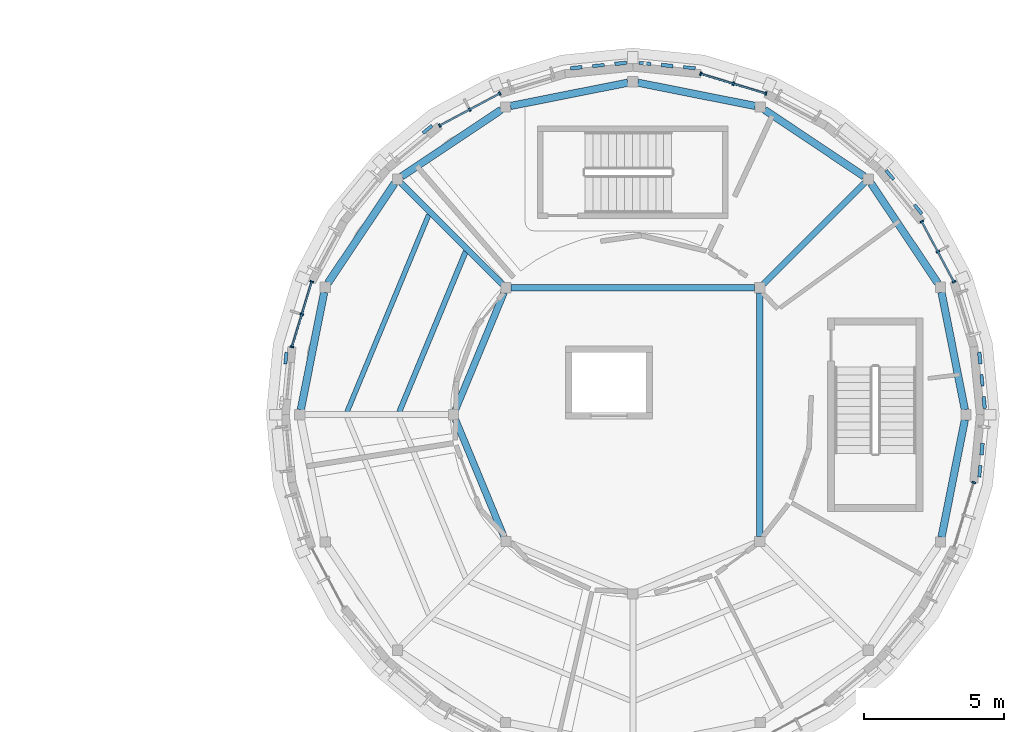
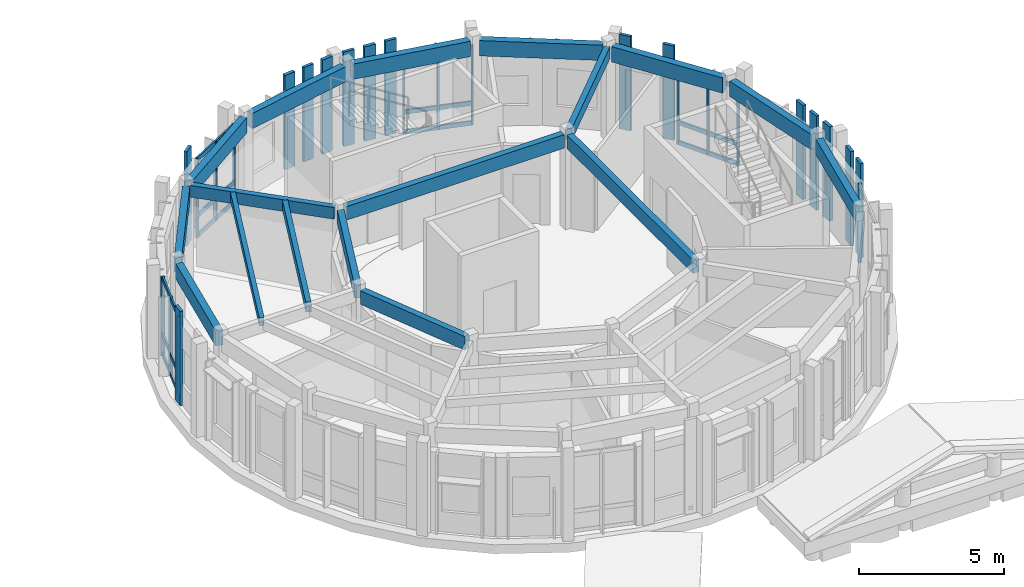
# One storey, part 19 of 58: 40 members, 17 beams, 5 elements without a shape of their own.
"""IFC4 building model written with IfcOpenShell, lengths in metres."""

from ifc_helpers import new_model, si_unit, direction, frame, origin, origin_2d, place, context, subcontext, project, spatial, rectangle, extrude, material, layer, layer_set, material_profile, profile_set, type_object, element, aggregate, save


model = new_model("IFC4")

# Units and contexts
model_context = context("Model", 3, precision=1e-05, world=origin(), true_north=direction((0.0, 1.0)))
body_context = subcontext(model_context, "Body", "Model", "MODEL_VIEW")
ifc_project = project(units=[si_unit("LENGTHUNIT", "METRE"), si_unit("AREAUNIT", "SQUARE_METRE"), si_unit("VOLUMEUNIT", "CUBIC_METRE"), si_unit("PLANEANGLEUNIT", "RADIAN"), si_unit("MASSUNIT", "GRAM", prefix="KILO")], contexts=[model_context])

# Site, building, storey
site_placement = place(None, origin())
site = spatial("IfcSite", under=ifc_project, at=site_placement, CompositionType="ELEMENT")
building_placement = place(site_placement, origin())
building = spatial("IfcBuilding", under=site, at=building_placement, Name="Aldenvaro Health Centre", CompositionType="ELEMENT")
storey_placement = place(building_placement, frame((0.0, 0.0, 8.75)))
storey = spatial("IfcBuildingStorey", under=building, at=storey_placement, Name="L02", CompositionType="ELEMENT", Elevation=8.75)

# Beams
ifc_material_1 = material(Name="Glulam GL28h", Category="wood")
ifc_material_profile_1 = material_profile(ifc_material_1, rectangle(XDim=0.175048828125, YDim=0.35009765625, at=origin_2d()), Name="GL 175x350", Category="wood")
ifc_profile_set_1 = profile_set([ifc_material_profile_1], Name="Glulam GL28h")
beam_type_1 = type_object("IfcBeamType", Name="BM-GL-350", PredefinedType="JOIST", material=ifc_profile_set_1)
beam_1_placement = place(storey_placement, frame((147.220947265625, 106.637939453125, 3.800048828125), z_axis=(-0.382732904244, -0.923859039036, 0.0), x_axis=(0.923859039036, -0.382732904244, 0.0)))
element("IfcBeam", 1, at=beam_1_placement, inside=storey, type_object=beam_type_1, Name="D2 L02 secondary joist 02.2", PredefinedType="JOIST", context=body_context, shape_type="SweptSolid", body=[
    extrude(rectangle(XDim=0.175048828125, YDim=0.35009765625, at=origin_2d()), origin(), (0.0, 0.0, 1.0), 7.618896484375),
])
ifc_material_profile_2 = material_profile(ifc_material_1, rectangle(XDim=0.18994140625, YDim=0.41796875, at=origin_2d()), Name="GL 190x418", Category="wood")
ifc_profile_set_2 = profile_set([ifc_material_profile_2], Name="Glulam GL28h")
beam_type_2 = type_object("IfcBeamType", Name="BM-GL-418", PredefinedType="JOIST", material=ifc_profile_set_2)
beam_2_placement = place(storey_placement, frame((148.5390625, 105.321044921875, 3.76611328125), z_axis=(-0.382820589001, -0.923822708444, 0.0), x_axis=(0.923822708444, -0.382820589001, 0.0)))
element("IfcBeam", 2, at=beam_2_placement, inside=storey, type_object=beam_type_2, Name="D2 L02 secondary joist 02.1", PredefinedType="JOIST", context=body_context, shape_type="SweptSolid", body=[
    extrude(rectangle(XDim=0.18994140625, YDim=0.41796875, at=origin_2d()), origin(), (0.0, 0.0, 1.0), 6.19384765625),
])
ifc_material_profile_3 = material_profile(ifc_material_1, rectangle(XDim=0.215087890625, YDim=0.493896484375, at=origin_2d()), Name="GL 215x494", Category="wood")
ifc_profile_set_3 = profile_set([ifc_material_profile_3], Name="Glulam GL28h")
beam_type_3 = type_object("IfcBeamType", Name="BM-GL-494", PredefinedType="BEAM", material=ifc_profile_set_3)
for number, where, z_axis, x_axis, name in (
    (3, (159.154052734375, 104.154052734375, 3.72802734375), (0.707106781187, 0.707106781187, 0.0), (-0.707106781187, 0.707106781187, 0.0), "D2 L02 radial beam 01"),
    (4, (149.845947265625, 104.154052734375, 3.72802734375), (-0.707106781187, 0.707106781187, 0.0), (-0.707106781187, -0.707106781187, 0.0), "D2 L02 radial beam 02"),
):
    element("IfcBeam", number, at=place(storey_placement, frame(where, z_axis=z_axis, x_axis=x_axis)), inside=storey, type_object=beam_type_3, Name=name, PredefinedType="BEAM", context=body_context, shape_type="SweptSolid", body=[
        extrude(rectangle(XDim=0.215087890625, YDim=0.493896484375, at=origin_2d()), origin(), (0.0, 0.0, 1.0), 5.115234375),
    ])
ifc_material_profile_4 = material_profile(ifc_material_1, rectangle(XDim=0.239990234375, YDim=0.570068359375, at=origin_2d()), Name="GL 240x570", Category="wood")
ifc_profile_set_4 = profile_set([ifc_material_profile_4], Name="Glulam GL28h")
beam_type_4 = type_object("IfcBeamType", Name="BM-GL-570", PredefinedType="BEAM", material=ifc_profile_set_4)
beam_3_placement = place(storey_placement, frame((158.843017578125, 104.02490234375, 3.68994140625), z_axis=(-1.0, 0.0, 0.0), x_axis=(0.0, -1.0, 0.0)))
element("IfcBeam", 5, at=beam_3_placement, inside=storey, type_object=beam_type_4, Name="D2 L02 inner ring beam 01", PredefinedType="BEAM", context=body_context, shape_type="SweptSolid", body=[
    extrude(rectangle(XDim=0.239990234375, YDim=0.570068359375, at=origin_2d()), origin(), (0.0, 0.0, 1.0), 8.68603515625),
])
for number, where, z_axis, x_axis, name in (
    (6, (149.905029296875, 103.85595703125, 3.68994140625), (-0.382832277795, -0.923817864667, 0.0), (0.923817864667, -0.382832277795, 0.0), "D2 L02 inner ring beam 02"),
    (7, (148.169921875, 99.3310546875, 3.68994140625), (0.382832277795, -0.923817864667, 0.0), (0.923817864667, 0.382832277795, 0.0), "D2 L02 inner ring beam 03"),
):
    element("IfcBeam", number, at=place(storey_placement, frame(where, z_axis=z_axis, x_axis=x_axis)), inside=storey, type_object=beam_type_4, Name=name, PredefinedType="BEAM", context=body_context, shape_type="SweptSolid", body=[
        extrude(rectangle(XDim=0.239990234375, YDim=0.570068359375, at=origin_2d()), origin(), (0.0, 0.0, 1.0), 4.5322265625),
    ])
beam_4_placement = place(storey_placement, frame((159.02490234375, 95.156982421875, 3.68994140625), z_axis=(0.0, 1.0, 0.0), x_axis=(-1.0, 0.0, 0.0)))
element("IfcBeam", 8, at=beam_4_placement, inside=storey, type_object=beam_type_4, Name="D2 L02 inner ring beam 06", PredefinedType="BEAM", context=body_context, shape_type="SweptSolid", body=[
    extrude(rectangle(XDim=0.239990234375, YDim=0.570068359375, at=origin_2d()), origin(), (0.0, 0.0, 1.0), 8.68603515625),
])
ifc_material_profile_5 = material_profile(ifc_material_1, rectangle(XDim=0.264892578125, YDim=0.64599609375, at=origin_2d()), Name="GL 265x646", Category="wood")
ifc_profile_set_5 = profile_set([ifc_material_profile_5], Name="Glulam GL28h")
beam_type_5 = type_object("IfcBeamType", Name="BM-GL-646", PredefinedType="SPANDREL", material=ifc_profile_set_5)
beam_5_placement = place(storey_placement, frame((166.343994140625, 99.678955078125, 3.652099609375), z_axis=(-0.19486245827, 0.980830577805, 0.0), x_axis=(-0.980830577805, -0.19486245827, 0.0)))
element("IfcBeam", 9, at=beam_5_placement, inside=storey, type_object=beam_type_5, Name="D2 L02 perimeter spandrel 01", PredefinedType="SPANDREL", context=body_context, shape_type="SweptSolid", body=[
    extrude(rectangle(XDim=0.264892578125, YDim=0.64599609375, at=origin_2d()), origin(), (0.0, 0.0, 1.0), 4.269775390625),
])
for number, where, z_axis, x_axis, name in (
    (10, (165.375, 104.197998046875, 3.652099609375), (-0.555886935474, 0.831257911222, 0.0), (-0.831257911222, -0.555886935474, 0.0), "D2 L02 perimeter spandrel 02"),
    (11, (162.748046875, 108.0009765625, 3.652099609375), (-0.831257911222, 0.555886935474, 0.0), (-0.555886935474, -0.831257911222, 0.0), "D2 L02 perimeter spandrel 03"),
):
    element("IfcBeam", number, at=place(storey_placement, frame(where, z_axis=z_axis, x_axis=x_axis)), inside=storey, type_object=beam_type_5, Name=name, PredefinedType="SPANDREL", context=body_context, shape_type="SweptSolid", body=[
        extrude(rectangle(XDim=0.264892578125, YDim=0.64599609375, at=origin_2d()), origin(), (0.0, 0.0, 1.0), 4.270751953125),
    ])
for number, where, z_axis, x_axis, name in (
    (12, (158.866943359375, 110.511962890625, 3.652099609375), (-0.980830577805, 0.19486245827, 0.0), (-0.19486245827, -0.980830577805, 0.0), "D2 L02 perimeter spandrel 04"),
    (13, (154.321044921875, 111.343994140625, 3.652099609375), (-0.980830577805, -0.19486245827, 0.0), (0.19486245827, -0.980830577805, 0.0), "D2 L02 perimeter spandrel 05"),
):
    element("IfcBeam", number, at=place(storey_placement, frame(where, z_axis=z_axis, x_axis=x_axis)), inside=storey, type_object=beam_type_5, Name=name, PredefinedType="SPANDREL", context=body_context, shape_type="SweptSolid", body=[
        extrude(rectangle(XDim=0.264892578125, YDim=0.64599609375, at=origin_2d()), origin(), (0.0, 0.0, 1.0), 4.269775390625),
    ])
for number, where, z_axis, x_axis, name in (
    (14, (149.802001953125, 110.375, 3.652099609375), (-0.831257911222, -0.555886935474, 0.0), (0.555886935474, -0.831257911222, 0.0), "D2 L02 perimeter spandrel 06"),
    (15, (145.9990234375, 107.748046875, 3.652099609375), (-0.555886935474, -0.831257911222, 0.0), (0.831257911222, -0.555886935474, 0.0), "D2 L02 perimeter spandrel 07"),
):
    element("IfcBeam", number, at=place(storey_placement, frame(where, z_axis=z_axis, x_axis=x_axis)), inside=storey, type_object=beam_type_5, Name=name, PredefinedType="SPANDREL", context=body_context, shape_type="SweptSolid", body=[
        extrude(rectangle(XDim=0.264892578125, YDim=0.64599609375, at=origin_2d()), origin(), (0.0, 0.0, 1.0), 4.270751953125),
    ])
for number, where, z_axis, x_axis, name in (
    (16, (143.488037109375, 103.866943359375, 3.652099609375), (-0.19486245827, -0.980830577805, 0.0), (0.980830577805, -0.19486245827, 0.0), "D2 L02 perimeter spandrel 08"),
    (17, (165.511962890625, 95.133056640625, 3.652099609375), (0.19486245827, 0.980830577805, 0.0), (-0.980830577805, 0.19486245827, 0.0), "D2 L02 perimeter spandrel 16"),
):
    element("IfcBeam", number, at=place(storey_placement, frame(where, z_axis=z_axis, x_axis=x_axis)), inside=storey, type_object=beam_type_5, Name=name, PredefinedType="SPANDREL", context=body_context, shape_type="SweptSolid", body=[
        extrude(rectangle(XDim=0.264892578125, YDim=0.64599609375, at=origin_2d()), origin(), (0.0, 0.0, 1.0), 4.269775390625),
    ])

# Curtain wall, member
ifc_material_2 = material(Name="Anodised Aluminium 6063-T6", Category="aluminium")
ifc_layer = layer(ifc_material_2, 0.195068359375, Name="Anodised Aluminium 6063-T6", Category="aluminium")
ifc_layer_set = layer_set([ifc_layer], Name="Anodised Aluminium 6063-T6")
curtain_wall_type = type_object("IfcCurtainWallType", Name="CW-CLN-02", PredefinedType="NOTDEFINED", material=ifc_layer_set)
curtain_wall_1_placement = place(storey_placement, origin())
curtain_wall_1 = element("IfcCurtainWall", 18, at=curtain_wall_1_placement, inside=storey, type_object=curtain_wall_type, Name="D2 L02 curtain wall bay 02", PredefinedType="NOTDEFINED")
ifc_material_profile_6 = material_profile(ifc_material_2, rectangle(XDim=0.06005859375, YDim=0.135009765625, at=origin_2d()), Name="ALU 60x135", Category="aluminium")
ifc_profile_set_6 = profile_set([ifc_material_profile_6], Name="Anodised Aluminium 6063-T6")
member_type_1 = type_object("IfcMemberType", Name="CWM-150", PredefinedType="MULLION", material=ifc_profile_set_6)
member_1_placement = place(storey_placement, frame((166.662109375, 97.0810546875, 0.0), z_axis=(0.0, 0.0, 1.0), x_axis=(-0.290441245116, -0.956892827403, 0.0)))
member_1 = element("IfcMember", 19, at=member_1_placement, type_object=member_type_1, Name="D2 L02 curtain wall bay 02 mullion 1", PredefinedType="MULLION", context=body_context, shape_type="SweptSolid", body=[
    extrude(rectangle(XDim=0.06005859375, YDim=0.135009765625, at=origin_2d()), origin(), (0.0, 0.0, 1.0), 3.3291015625),
])
aggregate(curtain_wall_1, [member_1])

# Curtain wall, members
curtain_wall_2_placement = place(storey_placement, origin())
curtain_wall_2 = element("IfcCurtainWall", 20, at=curtain_wall_2_placement, inside=storey, type_object=curtain_wall_type, Name="D2 L02 curtain wall bay 18", PredefinedType="NOTDEFINED")
member_2_placement = place(storey_placement, frame((142.337890625, 101.9189453125, 0.0), z_axis=(0.0, 0.0, 1.0), x_axis=(0.290441245116, 0.956892827403, 0.0)))
member_2 = element("IfcMember", 21, at=member_2_placement, type_object=member_type_1, Name="D2 L02 curtain wall bay 18 mullion 1", PredefinedType="MULLION", context=body_context, shape_type="SweptSolid", body=[
    extrude(rectangle(XDim=0.06005859375, YDim=0.135009765625, at=origin_2d()), origin(), (0.0, 0.0, 1.0), 3.3291015625),
])
member_3_placement = place(storey_placement, frame((142.69091796875, 103.08203125, 0.0), z_axis=(0.0, 0.0, 1.0), x_axis=(0.290441245116, 0.956892827403, 0.0)))
member_3 = element("IfcMember", 22, at=member_3_placement, type_object=member_type_1, Name="D2 L02 curtain wall bay 18 mullion 2", PredefinedType="MULLION", context=body_context, shape_type="SweptSolid", body=[
    extrude(rectangle(XDim=0.06005859375, YDim=0.135009765625, at=origin_2d()), origin(), (0.0, 0.0, 1.0), 3.3291015625),
])
member_4_placement = place(storey_placement, frame((143.0439453125, 104.2451171875, 0.0), z_axis=(0.0, 0.0, 1.0), x_axis=(0.290441245116, 0.956892827403, 0.0)))
member_4 = element("IfcMember", 23, at=member_4_placement, type_object=member_type_1, Name="D2 L02 curtain wall bay 18 mullion 3", PredefinedType="MULLION", context=body_context, shape_type="SweptSolid", body=[
    extrude(rectangle(XDim=0.06005859375, YDim=0.135009765625, at=origin_2d()), origin(), (0.0, 0.0, 1.0), 3.3291015625),
])

curtain_wall_3_placement = place(storey_placement, origin())
curtain_wall_3 = element("IfcCurtainWall", 24, at=curtain_wall_3_placement, inside=storey, type_object=curtain_wall_type, Name="D2 L02 curtain wall bay 22", PredefinedType="NOTDEFINED")
member_5_placement = place(storey_placement, frame((147.611083984375, 109.81005859375, 0.0), z_axis=(0.0, 0.0, 1.0), x_axis=(0.881919874971, 0.471399336159, 0.0)))
member_5 = element("IfcMember", 25, at=member_5_placement, type_object=member_type_1, Name="D2 L02 curtain wall bay 22 mullion 1", PredefinedType="MULLION", context=body_context, shape_type="SweptSolid", body=[
    extrude(rectangle(XDim=0.06005859375, YDim=0.135009765625, at=origin_2d()), origin(), (0.0, 0.0, 1.0), 3.3291015625),
])
member_6_placement = place(storey_placement, frame((148.68310546875, 110.383056640625, 0.0), z_axis=(0.0, 0.0, 1.0), x_axis=(0.881919874971, 0.471399336159, 0.0)))
member_6 = element("IfcMember", 26, at=member_6_placement, type_object=member_type_1, Name="D2 L02 curtain wall bay 22 mullion 2", PredefinedType="MULLION", context=body_context, shape_type="SweptSolid", body=[
    extrude(rectangle(XDim=0.06005859375, YDim=0.135009765625, at=origin_2d()), origin(), (0.0, 0.0, 1.0), 3.3291015625),
])
member_7_placement = place(storey_placement, frame((149.7548828125, 110.9560546875, 0.0), z_axis=(0.0, 0.0, 1.0), x_axis=(0.881919874971, 0.471399336159, 0.0)))
member_7 = element("IfcMember", 27, at=member_7_placement, type_object=member_type_1, Name="D2 L02 curtain wall bay 22 mullion 3", PredefinedType="MULLION", context=body_context, shape_type="SweptSolid", body=[
    extrude(rectangle(XDim=0.06005859375, YDim=0.135009765625, at=origin_2d()), origin(), (0.0, 0.0, 1.0), 3.3291015625),
])

curtain_wall_4_placement = place(storey_placement, origin())
curtain_wall_4 = element("IfcCurtainWall", 28, at=curtain_wall_4_placement, inside=storey, type_object=curtain_wall_type, Name="D2 L02 curtain wall bay 26", PredefinedType="NOTDEFINED")
member_8_placement = place(storey_placement, frame((156.9189453125, 111.662109375, 0.0), z_axis=(0.0, 0.0, 1.0), x_axis=(0.956892827403, -0.290441245116, 0.0)))
member_8 = element("IfcMember", 29, at=member_8_placement, type_object=member_type_1, Name="D2 L02 curtain wall bay 26 mullion 1", PredefinedType="MULLION", context=body_context, shape_type="SweptSolid", body=[
    extrude(rectangle(XDim=0.06005859375, YDim=0.135009765625, at=origin_2d()), origin(), (0.0, 0.0, 1.0), 3.3291015625),
])
member_9_placement = place(storey_placement, frame((158.08203125, 111.30908203125, 0.0), z_axis=(0.0, 0.0, 1.0), x_axis=(0.956892827403, -0.290441245116, 0.0)))
member_9 = element("IfcMember", 30, at=member_9_placement, type_object=member_type_1, Name="D2 L02 curtain wall bay 26 mullion 2", PredefinedType="MULLION", context=body_context, shape_type="SweptSolid", body=[
    extrude(rectangle(XDim=0.06005859375, YDim=0.135009765625, at=origin_2d()), origin(), (0.0, 0.0, 1.0), 3.3291015625),
])
member_10_placement = place(storey_placement, frame((159.2451171875, 110.9560546875, 0.0), z_axis=(0.0, 0.0, 1.0), x_axis=(0.956892827403, -0.290441245116, 0.0)))
member_10 = element("IfcMember", 31, at=member_10_placement, type_object=member_type_1, Name="D2 L02 curtain wall bay 26 mullion 3", PredefinedType="MULLION", context=body_context, shape_type="SweptSolid", body=[
    extrude(rectangle(XDim=0.06005859375, YDim=0.135009765625, at=origin_2d()), origin(), (0.0, 0.0, 1.0), 3.3291015625),
])

curtain_wall_5_placement = place(storey_placement, origin())
curtain_wall_5 = element("IfcCurtainWall", 32, at=curtain_wall_5_placement, inside=storey, type_object=curtain_wall_type, Name="D2 L02 curtain wall bay 30", PredefinedType="NOTDEFINED")
member_11_placement = place(storey_placement, frame((164.81005859375, 106.388916015625, 0.0), z_axis=(0.0, 0.0, 1.0), x_axis=(0.471399336159, -0.881919874971, 0.0)))
member_11 = element("IfcMember", 33, at=member_11_placement, type_object=member_type_1, Name="D2 L02 curtain wall bay 30 mullion 1", PredefinedType="MULLION", context=body_context, shape_type="SweptSolid", body=[
    extrude(rectangle(XDim=0.06005859375, YDim=0.135009765625, at=origin_2d()), origin(), (0.0, 0.0, 1.0), 3.3291015625),
])
member_12_placement = place(storey_placement, frame((165.383056640625, 105.31689453125, 0.0), z_axis=(0.0, 0.0, 1.0), x_axis=(0.471399336159, -0.881919874971, 0.0)))
member_12 = element("IfcMember", 34, at=member_12_placement, type_object=member_type_1, Name="D2 L02 curtain wall bay 30 mullion 2", PredefinedType="MULLION", context=body_context, shape_type="SweptSolid", body=[
    extrude(rectangle(XDim=0.06005859375, YDim=0.135009765625, at=origin_2d()), origin(), (0.0, 0.0, 1.0), 3.3291015625),
])
member_13_placement = place(storey_placement, frame((165.9560546875, 104.2451171875, 0.0), z_axis=(0.0, 0.0, 1.0), x_axis=(0.471399336159, -0.881919874971, 0.0)))
member_13 = element("IfcMember", 35, at=member_13_placement, type_object=member_type_1, Name="D2 L02 curtain wall bay 30 mullion 3", PredefinedType="MULLION", context=body_context, shape_type="SweptSolid", body=[
    extrude(rectangle(XDim=0.06005859375, YDim=0.135009765625, at=origin_2d()), origin(), (0.0, 0.0, 1.0), 3.3291015625),
])

# Member
ifc_material_profile_7 = material_profile(ifc_material_2, rectangle(XDim=0.06494140625, YDim=0.179931640625, at=origin_2d()), Name="ALU 65x180", Category="aluminium")
ifc_profile_set_7 = profile_set([ifc_material_profile_7], Name="Anodised Aluminium 6063-T6")
member_type_2 = type_object("IfcMemberType", Name="CWT-150", PredefinedType="USERDEFINED", material=ifc_profile_set_7)
member_14_placement = place(storey_placement, frame((142.337890625, 101.9189453125, 0.06005859375), z_axis=(0.290442193951, 0.956892539407, 0.0), x_axis=(-0.956892539407, 0.290442193951, 0.0)))
member_14 = element("IfcMember", 36, at=member_14_placement, type_object=member_type_2, Name="D2 L02 curtain wall bay 18 transom 1", ObjectType="TRANSOM", PredefinedType="USERDEFINED", context=body_context, shape_type="SweptSolid", body=[
    extrude(rectangle(XDim=0.06494140625, YDim=0.179931640625, at=origin_2d()), origin(), (0.0, 0.0, 1.0), 2.430908203125),
])

member_15_placement = place(storey_placement, frame((142.337890625, 101.9189453125, 0.89990234375), z_axis=(0.290442193951, 0.956892539407, 0.0), x_axis=(-0.956892539407, 0.290442193951, 0.0)))
member_15 = element("IfcMember", 37, at=member_15_placement, type_object=member_type_2, Name="D2 L02 curtain wall bay 18 transom 2", ObjectType="TRANSOM", PredefinedType="USERDEFINED", context=body_context, shape_type="SweptSolid", body=[
    extrude(rectangle(XDim=0.06494140625, YDim=0.179931640625, at=origin_2d()), origin(), (0.0, 0.0, 1.0), 2.430908203125),
])

member_16_placement = place(storey_placement, frame((142.337890625, 101.9189453125, 3.26904296875), z_axis=(0.290442193951, 0.956892539407, 0.0), x_axis=(-0.956892539407, 0.290442193951, 0.0)))
member_16 = element("IfcMember", 38, at=member_16_placement, type_object=member_type_2, Name="D2 L02 curtain wall bay 18 transom 3", ObjectType="TRANSOM", PredefinedType="USERDEFINED", context=body_context, shape_type="SweptSolid", body=[
    extrude(rectangle(XDim=0.06494140625, YDim=0.179931640625, at=origin_2d()), origin(), (0.0, 0.0, 1.0), 2.430908203125),
])

aggregate(curtain_wall_2, [member_2, member_3, member_4, member_14, member_15, member_16])

member_17_placement = place(storey_placement, frame((147.611083984375, 109.81005859375, 0.06005859375), z_axis=(0.881902152415, 0.471432490996, 0.0), x_axis=(-0.471432490996, 0.881902152415, 0.0)))
member_17 = element("IfcMember", 39, at=member_17_placement, type_object=member_type_2, Name="D2 L02 curtain wall bay 22 transom 1", ObjectType="TRANSOM", PredefinedType="USERDEFINED", context=body_context, shape_type="SweptSolid", body=[
    extrude(rectangle(XDim=0.06494140625, YDim=0.179931640625, at=origin_2d()), origin(), (0.0, 0.0, 1.0), 2.430908203125),
])

member_18_placement = place(storey_placement, frame((147.611083984375, 109.81005859375, 0.89990234375), z_axis=(0.881902152415, 0.471432490996, 0.0), x_axis=(-0.471432490996, 0.881902152415, 0.0)))
member_18 = element("IfcMember", 40, at=member_18_placement, type_object=member_type_2, Name="D2 L02 curtain wall bay 22 transom 2", ObjectType="TRANSOM", PredefinedType="USERDEFINED", context=body_context, shape_type="SweptSolid", body=[
    extrude(rectangle(XDim=0.06494140625, YDim=0.179931640625, at=origin_2d()), origin(), (0.0, 0.0, 1.0), 2.430908203125),
])

member_19_placement = place(storey_placement, frame((147.611083984375, 109.81005859375, 3.26904296875), z_axis=(0.881902152415, 0.471432490996, 0.0), x_axis=(-0.471432490996, 0.881902152415, 0.0)))
member_19 = element("IfcMember", 41, at=member_19_placement, type_object=member_type_2, Name="D2 L02 curtain wall bay 22 transom 3", ObjectType="TRANSOM", PredefinedType="USERDEFINED", context=body_context, shape_type="SweptSolid", body=[
    extrude(rectangle(XDim=0.06494140625, YDim=0.179931640625, at=origin_2d()), origin(), (0.0, 0.0, 1.0), 2.430908203125),
])

aggregate(curtain_wall_3, [member_5, member_6, member_7, member_17, member_18, member_19])

member_20_placement = place(storey_placement, frame((156.9189453125, 111.662109375, 0.06005859375), z_axis=(0.956892539407, -0.290442193951, 0.0), x_axis=(0.290442193951, 0.956892539407, 0.0)))
member_20 = element("IfcMember", 42, at=member_20_placement, type_object=member_type_2, Name="D2 L02 curtain wall bay 26 transom 1", ObjectType="TRANSOM", PredefinedType="USERDEFINED", context=body_context, shape_type="SweptSolid", body=[
    extrude(rectangle(XDim=0.06494140625, YDim=0.179931640625, at=origin_2d()), origin(), (0.0, 0.0, 1.0), 2.430908203125),
])

member_21_placement = place(storey_placement, frame((156.9189453125, 111.662109375, 0.89990234375), z_axis=(0.956892539407, -0.290442193951, 0.0), x_axis=(0.290442193951, 0.956892539407, 0.0)))
member_21 = element("IfcMember", 43, at=member_21_placement, type_object=member_type_2, Name="D2 L02 curtain wall bay 26 transom 2", ObjectType="TRANSOM", PredefinedType="USERDEFINED", context=body_context, shape_type="SweptSolid", body=[
    extrude(rectangle(XDim=0.06494140625, YDim=0.179931640625, at=origin_2d()), origin(), (0.0, 0.0, 1.0), 2.430908203125),
])

member_22_placement = place(storey_placement, frame((156.9189453125, 111.662109375, 3.26904296875), z_axis=(0.956892539407, -0.290442193951, 0.0), x_axis=(0.290442193951, 0.956892539407, 0.0)))
member_22 = element("IfcMember", 44, at=member_22_placement, type_object=member_type_2, Name="D2 L02 curtain wall bay 26 transom 3", ObjectType="TRANSOM", PredefinedType="USERDEFINED", context=body_context, shape_type="SweptSolid", body=[
    extrude(rectangle(XDim=0.06494140625, YDim=0.179931640625, at=origin_2d()), origin(), (0.0, 0.0, 1.0), 2.430908203125),
])

aggregate(curtain_wall_4, [member_8, member_9, member_10, member_20, member_21, member_22])

member_23_placement = place(storey_placement, frame((164.81005859375, 106.388916015625, 0.06005859375), z_axis=(0.471432490996, -0.881902152415, 0.0), x_axis=(0.881902152415, 0.471432490996, 0.0)))
member_23 = element("IfcMember", 45, at=member_23_placement, type_object=member_type_2, Name="D2 L02 curtain wall bay 30 transom 1", ObjectType="TRANSOM", PredefinedType="USERDEFINED", context=body_context, shape_type="SweptSolid", body=[
    extrude(rectangle(XDim=0.06494140625, YDim=0.179931640625, at=origin_2d()), origin(), (0.0, 0.0, 1.0), 2.430908203125),
])

member_24_placement = place(storey_placement, frame((164.81005859375, 106.388916015625, 0.89990234375), z_axis=(0.471432490996, -0.881902152415, 0.0), x_axis=(0.881902152415, 0.471432490996, 0.0)))
member_24 = element("IfcMember", 46, at=member_24_placement, type_object=member_type_2, Name="D2 L02 curtain wall bay 30 transom 2", ObjectType="TRANSOM", PredefinedType="USERDEFINED", context=body_context, shape_type="SweptSolid", body=[
    extrude(rectangle(XDim=0.06494140625, YDim=0.179931640625, at=origin_2d()), origin(), (0.0, 0.0, 1.0), 2.430908203125),
])

member_25_placement = place(storey_placement, frame((164.81005859375, 106.388916015625, 3.26904296875), z_axis=(0.471432490996, -0.881902152415, 0.0), x_axis=(0.881902152415, 0.471432490996, 0.0)))
member_25 = element("IfcMember", 47, at=member_25_placement, type_object=member_type_2, Name="D2 L02 curtain wall bay 30 transom 3", ObjectType="TRANSOM", PredefinedType="USERDEFINED", context=body_context, shape_type="SweptSolid", body=[
    extrude(rectangle(XDim=0.06494140625, YDim=0.179931640625, at=origin_2d()), origin(), (0.0, 0.0, 1.0), 2.430908203125),
])

aggregate(curtain_wall_5, [member_11, member_12, member_13, member_23, member_24, member_25])

# Members
ifc_material_profile_8 = material_profile(ifc_material_1, rectangle(XDim=0.114990234375, YDim=0.419921875, at=origin_2d()), Name="GL 115x420", Category="wood")
ifc_profile_set_8 = profile_set([ifc_material_profile_8], Name="Glulam GL28h")
member_type_3 = type_object("IfcMemberType", Name="MEM-SLT-420A", PredefinedType="POST", material=ifc_profile_set_8)
for number, where, z_axis, x_axis, name in (
    (48, (166.876953125, 97.48193359375, 0.0), (0.0, 0.0, 1.0), (0.995194782414, -0.097914988926, 0.0), "D2 L02 vertical timber slat 1.3"),
    (49, (142.123046875, 101.51806640625, 0.0), (0.0, 0.0, 1.0), (-0.995194782414, 0.097914988926, 0.0), "D2 L02 vertical timber slat 17.3"),
    (50, (147.175048828125, 109.678955078125, 0.0), (0.0, 0.0, 1.0), (-0.634379653268, 0.773021639749, 0.0), "D2 L02 vertical timber slat 21.3"),
    (51, (153.27294921875, 111.955078125, 0.0), (0.0, 0.0, 1.0), (-0.097914988926, 0.995194782414, 0.0), "D2 L02 vertical timber slat 24.2"),
    (52, (154.93505859375, 112.032958984375, 0.0), (0.0, 0.0, 1.0), (0.097914988926, 0.995194782414, 0.0), "D2 L02 vertical timber slat 25.1"),
    (53, (156.51806640625, 111.876953125, 0.0), (0.0, 0.0, 1.0), (0.097914988926, 0.995194782414, 0.0), "D2 L02 vertical timber slat 25.3"),
    (54, (163.669921875, 108.053955078125, 0.0), (0.0, 0.0, 1.0), (0.773021639749, 0.634379653268, 0.0), "D2 L02 vertical timber slat 29.1"),
    (55, (164.678955078125, 106.824951171875, 0.0), (0.0, 0.0, 1.0), (0.773021639749, 0.634379653268, 0.0), "D2 L02 vertical timber slat 29.3"),
    (56, (166.955078125, 100.72705078125, 0.0), (0.0, 0.0, 1.0), (0.995194782414, 0.097914988926, 0.0), "D2 L02 vertical timber slat 32.2"),
):
    element("IfcMember", number, at=place(storey_placement, frame(where, z_axis=z_axis, x_axis=x_axis)), inside=storey, type_object=member_type_3, Name=name, PredefinedType="POST", context=body_context, shape_type="SweptSolid", body=[
        extrude(rectangle(XDim=0.114990234375, YDim=0.419921875, at=origin_2d()), origin(), (0.0, 0.0, 1.0), 3.97509765625),
    ])
ifc_material_profile_9 = material_profile(ifc_material_1, rectangle(XDim=0.1298828125, YDim=0.419921875, at=origin_2d()), Name="GL 130x420", Category="wood")
ifc_profile_set_9 = profile_set([ifc_material_profile_9], Name="Glulam GL28h")
member_type_4 = type_object("IfcMemberType", Name="MEM-SLT-420B", PredefinedType="POST", material=ifc_profile_set_9)
for number, where, z_axis, x_axis, name in (
    (57, (166.955078125, 98.27294921875, 0.0), (0.0, 0.0, 1.0), (0.995194782414, -0.097914988926, 0.0), "D2 L02 vertical timber slat 1.2"),
    (58, (152.48193359375, 111.876953125, 0.0), (0.0, 0.0, 1.0), (-0.097914988926, 0.995194782414, 0.0), "D2 L02 vertical timber slat 24.1"),
    (59, (154.06494140625, 112.032958984375, 0.0), (0.0, 0.0, 1.0), (-0.097914988926, 0.995194782414, 0.0), "D2 L02 vertical timber slat 24.3"),
    (60, (155.72705078125, 111.955078125, 0.0), (0.0, 0.0, 1.0), (0.097914988926, 0.995194782414, 0.0), "D2 L02 vertical timber slat 25.2"),
    (61, (166.876953125, 101.51806640625, 0.0), (0.0, 0.0, 1.0), (0.995194782414, 0.097914988926, 0.0), "D2 L02 vertical timber slat 32.1"),
    (62, (167.032958984375, 99.93505859375, 0.0), (0.0, 0.0, 1.0), (0.995194782414, 0.097914988926, 0.0), "D2 L02 vertical timber slat 32.3"),
):
    element("IfcMember", number, at=place(storey_placement, frame(where, z_axis=z_axis, x_axis=x_axis)), inside=storey, type_object=member_type_4, Name=name, PredefinedType="POST", context=body_context, shape_type="SweptSolid", body=[
        extrude(rectangle(XDim=0.1298828125, YDim=0.419921875, at=origin_2d()), origin(), (0.0, 0.0, 1.0), 3.97509765625),
    ])

save(model, "model.ifc")
